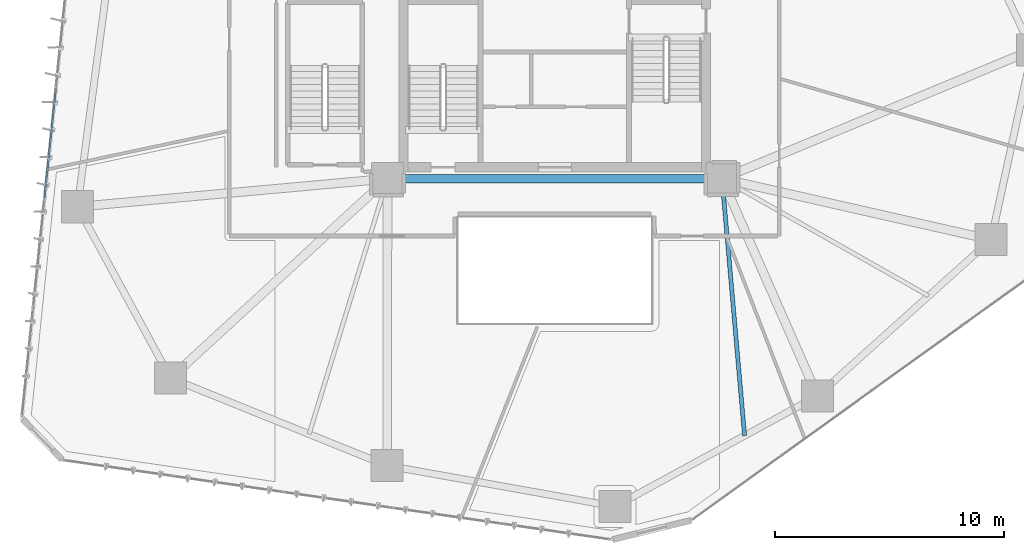
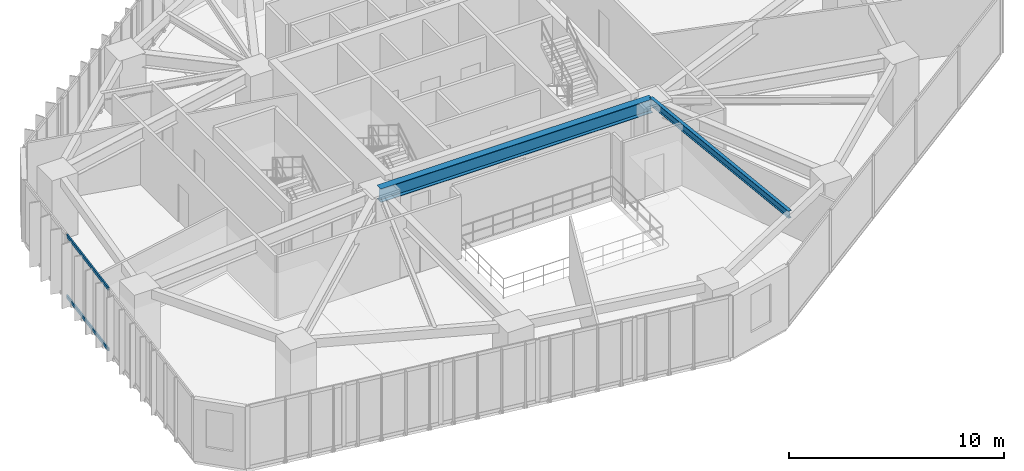
# One storey, part 5 of 22: 2 beams, 2 members, 1 element without a shape of its own.
"""IFC4 building model written with IfcOpenShell, lengths in metres."""

from ifc_helpers import new_model, si_unit, direction, frame, origin, origin_2d, place, context, subcontext, project, spatial, hollow_rectangle, i_section, extrude, source, transform, mapped, material, layer, layer_set, material_profile, profile_set, type_object, type_shapes, element, aggregate, save


model = new_model("IFC4")

# Units and contexts
model_context = context("Model", 3, precision=1e-05, world=origin(), true_north=direction((0.0, 1.0)))
body_context = subcontext(model_context, "Body", "Model", "MODEL_VIEW")
ifc_project = project(units=[si_unit("LENGTHUNIT", "METRE"), si_unit("AREAUNIT", "SQUARE_METRE"), si_unit("VOLUMEUNIT", "CUBIC_METRE"), si_unit("PLANEANGLEUNIT", "RADIAN"), si_unit("MASSUNIT", "GRAM", prefix="KILO")], contexts=[model_context])

# Site, building, storey
site_placement = place(None, origin())
site = spatial("IfcSite", under=ifc_project, at=site_placement, CompositionType="ELEMENT")
building_placement = place(site_placement, origin())
building = spatial("IfcBuilding", under=site, at=building_placement, Name="Talar Marvaseh", CompositionType="ELEMENT")
storey_placement = place(building_placement, frame((0.0, 0.0, 65.800048828125)))
storey = spatial("IfcBuildingStorey", under=building, at=storey_placement, Name="L16", CompositionType="ELEMENT", Elevation=65.800048828125)

# Beams
ifc_material_1 = material(Name="Steel S355", Category="steel")
ifc_material_profile_1 = material_profile(ifc_material_1, i_section(OverallWidth=0.381103515625, OverallDepth=0.77294921875, WebThickness=0.0166015625, FlangeThickness=0.027099609375, at=origin_2d()), Name="W760x257")
ifc_profile_set_1 = profile_set([ifc_material_profile_1], Name="Steel S355")
beam_type_1 = type_object("IfcBeamType", Name="Zone 1 Radial Floor Girder W760x257", PredefinedType="BEAM", material=ifc_profile_set_1)
beam_1_placement = place(storey_placement, frame((18.699951171875, 25.5, 3.133544921875), z_axis=(1.0, 0.0, 0.0), x_axis=(0.0, 1.0, 0.0)))
element("IfcBeam", 1, at=beam_1_placement, inside=storey, type_object=beam_type_1, Name="L16 Zone 1 Radial Floor Girder W760x257", PredefinedType="BEAM", context=body_context, shape_type="SweptSolid", body=[
    extrude(i_section(OverallWidth=0.381103515625, OverallDepth=0.77294921875, WebThickness=0.0166015625, FlangeThickness=0.027099609375, at=origin_2d()), origin(), (0.0, 0.0, 1.0), 14.60009765625),
])
ifc_material_profile_2 = material_profile(ifc_material_1, i_section(OverallWidth=0.179931640625, OverallDepth=0.4130859375, WebThickness=0.009765625, FlangeThickness=0.01611328125, at=origin_2d()), Name="W410x75")
ifc_profile_set_2 = profile_set([ifc_material_profile_2], Name="Steel S355")
beam_type_2 = type_object("IfcBeamType", Name="Zone 1 Secondary Floor Joist W410x75", PredefinedType="JOIST", material=ifc_profile_set_2)
beam_2_placement = place(storey_placement, frame((34.284423828125, 14.28369140625, 3.3134765625), z_axis=(-0.08742678295, 0.996170947992, 0.0), x_axis=(-0.996170947992, -0.08742678295, 0.0)))
element("IfcBeam", 2, at=beam_2_placement, inside=storey, type_object=beam_type_2, Name="L16 Zone 1 Secondary Floor Joist W410x75", PredefinedType="JOIST", context=body_context, shape_type="SweptSolid", body=[
    extrude(i_section(OverallWidth=0.179931640625, OverallDepth=0.4130859375, WebThickness=0.009765625, FlangeThickness=0.01611328125, at=origin_2d()), origin(), (0.0, 0.0, 1.0), 11.259521484375),
])

# Curtain wall, members
ifc_material_2 = material(Name="Architectural Aluminium", Category="aluminium")
ifc_layer = layer(ifc_material_2, 0.219970703125)
ifc_layer_set = layer_set([ifc_layer], Name="Architectural Aluminium")
curtain_wall_type = type_object("IfcCurtainWallType", Name="Unitised Low-E Museum Curtain Wall Z1", PredefinedType="NOTDEFINED", material=ifc_layer_set)
curtain_wall_placement = place(storey_placement, origin())
curtain_wall = element("IfcCurtainWall", 3, at=curtain_wall_placement, inside=storey, type_object=curtain_wall_type, Name="L16 Unitised Low-E Museum Curtain Wall Z1", PredefinedType="NOTDEFINED")
ifc_material_profile_3 = material_profile(ifc_material_2, hollow_rectangle(XDim=0.074951171875, YDim=0.179931640625, WallThickness=0.0048828125, at=origin_2d()), Name="RHS180x75x5")
ifc_profile_set_3 = profile_set([ifc_material_profile_3], Name="Architectural Aluminium")
member_type = type_object("IfcMemberType", Name="Unitised Curtain Wall Transom RHS180x75x5", PredefinedType="USERDEFINED", material=ifc_profile_set_3)
shared_shape = source(origin(), body_context, "Body", "SweptSolid", [
    extrude(hollow_rectangle(XDim=0.074951171875, YDim=0.179931640625, WallThickness=0.0048828125, at=origin_2d()), origin(), (0.0, 0.0, 1.0), 4.736572265625),
])
type_shapes(member_type, [shared_shape])
member_1_placement = place(storey_placement, frame((3.73779296875, 24.685791015625, 0.037353515625), z_axis=(0.102881565514, 0.994693612867, 0.0), x_axis=(-0.994693612867, 0.102881565514, 0.0)))
member_1 = element("IfcMember", 4, at=member_1_placement, type_object=member_type, Name="CW-Z1 transom 3.1", ObjectType="TRANSOM", PredefinedType="USERDEFINED", context=body_context, shape_type="MappedRepresentation", body=[
    mapped(shared_shape, transform((0.0, 0.0, 0.0), x_axis=(1.0, 0.0, 0.0), y_axis=(0.0, 1.0, 0.0), z_axis=(0.0, 0.0, 1.0), scale=1.0)),
])
member_2_placement = place(storey_placement, frame((3.73779296875, 24.685791015625, 3.482421875), z_axis=(0.102881565514, 0.994693612867, 0.0), x_axis=(-0.994693612867, 0.102881565514, 0.0)))
member_2 = element("IfcMember", 5, at=member_2_placement, type_object=member_type, Name="CW-Z1 transom 3.2", ObjectType="TRANSOM", PredefinedType="USERDEFINED", context=body_context, shape_type="MappedRepresentation", body=[
    mapped(shared_shape, transform((0.0, 0.0, 0.0), x_axis=(1.0, 0.0, 0.0), y_axis=(0.0, 1.0, 0.0), z_axis=(0.0, 0.0, 1.0), scale=1.0)),
])
aggregate(curtain_wall, [member_1, member_2])

save(model, "model.ifc")
